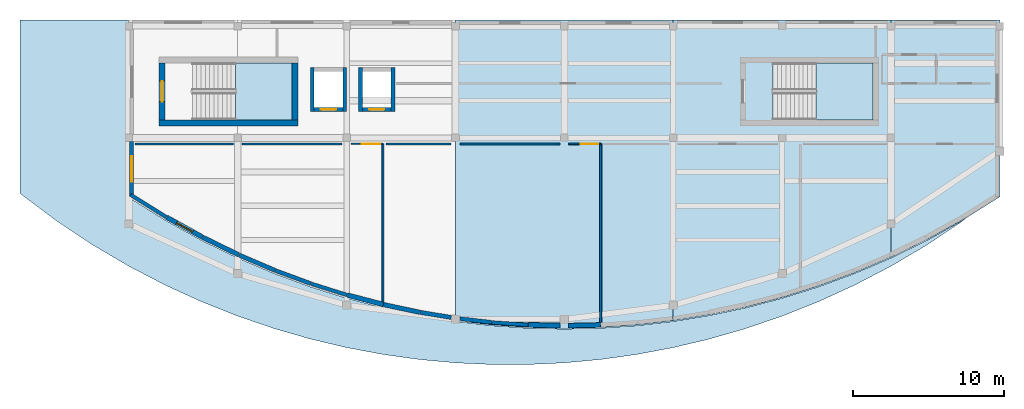
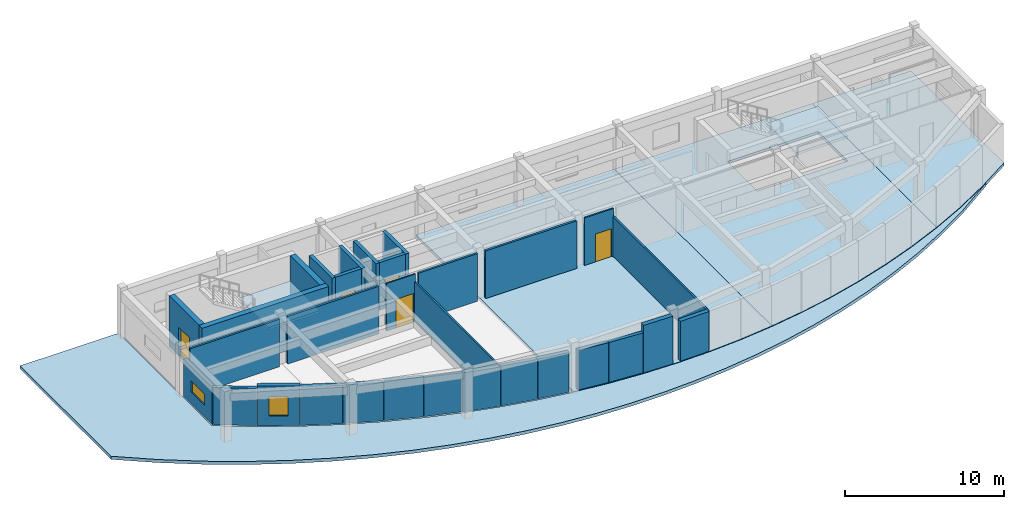
# One storey, part 2 of 6: 31 walls, 6 slabs, 5 doors, 2 windows, 7 openings, 2 elements without a shape of their own.
"""IFC4 building model written with IfcOpenShell, lengths in metres."""

from ifc_helpers import new_model, si_unit, direction, frame, frame_2d, origin, place, context, subcontext, project, spatial, polyline, rectangle, outline, extrude, material, layer, layer_set, type_object, element, fill, aggregate, save


model = new_model("IFC4")

# Units and contexts
model_context = context("Model", 3, precision=1e-05, world=origin(), true_north=direction((0.0, 1.0)))
body_context = subcontext(model_context, "Body", "Model", "MODEL_VIEW")
ifc_project = project(units=[si_unit("LENGTHUNIT", "METRE"), si_unit("AREAUNIT", "SQUARE_METRE"), si_unit("VOLUMEUNIT", "CUBIC_METRE"), si_unit("PLANEANGLEUNIT", "RADIAN"), si_unit("MASSUNIT", "GRAM", prefix="KILO")], contexts=[model_context])

# Site, building, storey
site_placement = place(None, origin())
site = spatial("IfcSite", under=ifc_project, at=site_placement, CompositionType="ELEMENT")
building_placement = place(site_placement, origin())
building = spatial("IfcBuilding", under=site, at=building_placement, Name="Brisavento Harbour Community Centre", CompositionType="ELEMENT")
storey_placement = place(building_placement, frame((0.0, 0.0, 20.699951171875)))
storey = spatial("IfcBuildingStorey", under=building, at=storey_placement, Name="L05", CompositionType="ELEMENT", Elevation=20.699951171875)

# Slabs
ifc_material_1 = material(Name="Concrete C35/45", Category="concrete")
ifc_layer_1 = layer(ifc_material_1, 0.219970703125, Name="Concrete C35/45")
ifc_layer_set_1 = layer_set([ifc_layer_1], Name="Concrete C35/45")
slab_type_1 = type_object("IfcSlabType", Name="SLB-FLR-220", PredefinedType="FLOOR", material=ifc_layer_set_1)
slab_1_placement = place(storey_placement, frame((0.0, 0.0, -0.219970703125)))
element("IfcSlab", 1, at=slab_1_placement, inside=storey, type_object=slab_type_1, Name="L05 V3 structural floor slab 058", PredefinedType="FLOOR", context=body_context, shape_type="SweptSolid", body=[
    extrude(outline(polyline([(136.800048828125, 22.800048828125), (136.800048828125, 2.90087890625), (139.199951171875, 2.6220703125), (141.60009765625, 2.455322265625), (144.0, 2.39990234375), (146.39990234375, 2.455322265625), (148.800048828125, 2.6220703125), (151.199951171875, 2.90087890625), (151.199951171875, 22.800048828125), (136.800048828125, 22.800048828125)])), origin(), (0.0, 0.0, 1.0), 0.219970703125),
])
slab_2_placement = place(storey_placement, frame((0.0, 0.0, -0.219970703125)))
element("IfcSlab", 2, at=slab_2_placement, inside=storey, type_object=slab_type_1, Name="L05 V3 structural floor slab 059", PredefinedType="FLOOR", context=body_context, shape_type="SweptSolid", body=[
    extrude(outline(polyline([(151.199951171875, 22.800048828125), (151.199951171875, 2.90087890625), (153.60009765625, 3.293701171875), (156.0, 3.8037109375), (158.39990234375, 4.43359375), (160.800048828125, 5.188720703125), (163.199951171875, 6.074462890625), (165.60009765625, 7.098388671875), (165.60009765625, 22.800048828125), (151.199951171875, 22.800048828125)]), holes=[polyline([(157.80810546875, 19.94189453125), (164.39208984375, 19.94189453125), (164.39208984375, 16.2080078125), (157.80810546875, 16.2080078125), (157.80810546875, 19.94189453125)])]), origin(), (0.0, 0.0, 1.0), 0.219970703125),
])
slab_3_placement = place(storey_placement, frame((0.0, 0.0, -0.219970703125)))
element("IfcSlab", 3, at=slab_3_placement, inside=storey, type_object=slab_type_1, Name="L05 V3 structural floor slab 060", PredefinedType="FLOOR", context=body_context, shape_type="SweptSolid", body=[
    extrude(outline(polyline([(165.60009765625, 22.800048828125), (165.60009765625, 7.098388671875), (168.0, 8.269775390625), (170.39990234375, 9.60009765625), (172.800048828125, 11.103759765625), (172.800048828125, 22.800048828125), (165.60009765625, 22.800048828125)])), origin(), (0.0, 0.0, 1.0), 0.219970703125),
])

# Stair, slab
stair_type = type_object("IfcStairType", Name="STR-DL-3900", PredefinedType="HALF_TURN_STAIR", material=ifc_material_1)
stair_1_placement = place(storey_placement, origin())
stair_1 = element("IfcStair", 4, at=stair_1_placement, inside=storey, type_object=stair_type, Name="L05 ST-04", PredefinedType="HALF_TURN_STAIR")
ifc_layer_2 = layer(ifc_material_1, 0.199951171875, Name="Concrete C35/45")
ifc_layer_set_2 = layer_set([ifc_layer_2], Name="Concrete C35/45")
slab_type_2 = type_object("IfcSlabType", Name="SLB-LND-200", PredefinedType="LANDING", material=ifc_layer_set_2)
slab_4_placement = place(storey_placement, frame((0.0, 0.0, 1.75)))
slab_4 = element("IfcSlab", 5, at=slab_4_placement, type_object=slab_type_2, Name="ST-04 landing 1", PredefinedType="LANDING", context=body_context, shape_type="SweptSolid", body=[
    extrude(outline(polyline([(122.25, 16.199951171875), (126.0, 16.199951171875), (126.0, 19.949951171875), (122.25, 19.949951171875), (122.25, 16.199951171875)])), origin(), (0.0, 0.0, 1.0), 0.199951171875),
])
aggregate(stair_1, [slab_4])

stair_2_placement = place(storey_placement, origin())
stair_2 = element("IfcStair", 6, at=stair_2_placement, inside=storey, type_object=stair_type, Name="L05 ST-05", PredefinedType="HALF_TURN_STAIR")
slab_5_placement = place(storey_placement, frame((0.0, 0.0, 1.75)))
slab_5 = element("IfcSlab", 7, at=slab_5_placement, type_object=slab_type_2, Name="ST-05 landing 1", PredefinedType="LANDING", context=body_context, shape_type="SweptSolid", body=[
    extrude(outline(polyline([(160.64990234375, 16.199951171875), (164.39990234375, 16.199951171875), (164.39990234375, 19.949951171875), (160.64990234375, 19.949951171875), (160.64990234375, 16.199951171875)])), origin(), (0.0, 0.0, 1.0), 0.199951171875),
])
aggregate(stair_2, [slab_5])

# Slab
ifc_layer_3 = layer(ifc_material_1, 0.239990234375, Name="Concrete C35/45")
ifc_layer_set_3 = layer_set([ifc_layer_3], Name="Concrete C35/45")
slab_type_3 = type_object("IfcSlabType", Name="SLB-RF-240", PredefinedType="ROOF", material=ifc_layer_set_3)
slab_6_placement = place(storey_placement, frame((0.0, 0.0, -0.239990234375)))
element("IfcSlab", 8, at=slab_6_placement, inside=storey, type_object=slab_type_3, Name="L05 V3 setback flat roof slab 1", PredefinedType="ROOF", context=body_context, shape_type="SweptSolid", body=[
    extrude(outline(polyline([(168.014404296875, 8.243408203125), (165.61328125, 7.0712890625), (163.2119140625, 6.046875), (160.810302734375, 5.160400390625), (158.408935546875, 4.405029296875), (156.007568359375, 3.7744140625), (153.606201171875, 3.264404296875), (151.204833984375, 2.871337890625), (148.803466796875, 2.59228515625), (146.402099609375, 2.425537109375), (143.999267578125, 2.3701171875), (141.597900390625, 2.425537109375), (139.196533203125, 2.59228515625), (136.795166015625, 2.871337890625), (134.393798828125, 3.264404296875), (131.993896484375, 3.774169921875), (129.591064453125, 4.405029296875), (127.189697265625, 5.160400390625), (124.7880859375, 6.046875), (122.38818359375, 7.07080078125), (119.985595703125, 8.243408203125), (117.58544921875, 9.57373046875), (115.181640625, 11.080078125), (115.169921875, 22.800048828125), (108.0, 22.800048828125), (108.0, 11.32763671875), (110.39990234375, 9.526611328125), (112.800048828125, 7.92919921875), (115.199951171875, 6.51416015625), (117.60009765625, 5.264892578125), (120.0, 4.168701171875), (122.39990234375, 3.21484375), (124.800048828125, 2.395263671875), (127.199951171875, 1.703369140625), (129.60009765625, 1.1337890625), (132.0, 0.682861328125), (134.39990234375, 0.347412109375), (136.800048828125, 0.124755859375), (139.199951171875, 0.013916015625), (141.60009765625, 0.013916015625), (144.0, 0.124755859375), (146.39990234375, 0.347412109375), (148.800048828125, 0.682861328125), (151.199951171875, 1.1337890625), (153.60009765625, 1.703369140625), (156.0, 2.395263671875), (158.39990234375, 3.21484375), (160.800048828125, 4.168701171875), (163.199951171875, 5.264892578125), (165.60009765625, 6.51416015625), (168.0, 7.92919921875), (170.707275390625, 9.757080078125), (168.014404296875, 8.243408203125)])), origin(), (0.0, 0.0, 1.0), 0.239990234375),
])

# Walls
ifc_material_2 = material(Name="Concrete C40/50", Category="concrete")
ifc_layer_4 = layer(ifc_material_2, 0.39990234375, Name="Concrete C40/50")
ifc_layer_set_4 = layer_set([ifc_layer_4], Name="Concrete C40/50")
wall_type_1 = type_object("IfcWallType", Name="WL-CORE-400", PredefinedType="SHEAR", material=ifc_layer_set_4)
wall_1_placement = place(storey_placement, frame((117.199951171875, 16.0, 0.0), z_axis=(0.0, 0.0, 1.0), x_axis=(1.0, 0.0, 0.0)))
element("IfcWall", 9, at=wall_1_placement, inside=storey, type_object=wall_type_1, Name="L05 core C3A shear wall L", PredefinedType="SHEAR", context=body_context, shape_type="SweptSolid", body=[
    extrude(rectangle(XDim=9.199951171875, YDim=0.39990234375, at=frame_2d((4.60009765625, 0.0))), origin(), (0.0, 0.0, 1.0), 3.900146484375),
])
wall_2_placement = place(storey_placement, frame((126.199951171875, 16.199951171875, 0.0), z_axis=(0.0, 0.0, 1.0), x_axis=(0.0, 1.0, 0.0)))
element("IfcWall", 10, at=wall_2_placement, inside=storey, type_object=wall_type_1, Name="L05 core C3A shear wall F", PredefinedType="SHEAR", context=body_context, shape_type="SweptSolid", body=[
    extrude(rectangle(XDim=3.75, YDim=0.39990234375, at=frame_2d((1.875, 0.0))), origin(), (0.0, 0.0, 1.0), 3.900146484375),
])

# Wall, opening, door
wall_3_placement = place(storey_placement, frame((117.39990234375, 19.949951171875, 0.0), z_axis=(0.0, 0.0, 1.0), x_axis=(0.0, -1.0, 0.0)))
wall_3 = element("IfcWall", 11, at=wall_3_placement, inside=storey, type_object=wall_type_1, Name="L05 core C3A shear wall N", PredefinedType="SHEAR", context=body_context, shape_type="SweptSolid", body=[
    extrude(rectangle(XDim=3.75, YDim=0.39990234375, at=frame_2d((1.875, 0.0))), origin(), (0.0, 0.0, 1.0), 3.900146484375),
])
opening_1_placement = place(wall_3_placement, frame((1.199951171875, 0.0, 0.0)))
opening_1 = element("IfcOpeningElement", 12, at=opening_1_placement, cuts=wall_3, Name="Opening SD-02", PredefinedType="OPENING", context=body_context, shape_type="SweptSolid", body=[
    extrude(rectangle(XDim=1.35009765625, YDim=2.199951171875, at=frame_2d((0.675048828125, 1.10009765625))), frame((0.0, 0.2099609375, 0.0), z_axis=(0.0, -1.0, 0.0), x_axis=(1.0, 0.0, 0.0)), (0.0, 0.0, 1.0), 0.419921875),
])
ifc_material_3 = material(Name="Fire-rated steel door assembly", Category="steel")
door_type_1 = type_object("IfcDoorType", Name="DR-STAIR-135x220", OperationType="NOTDEFINED", PredefinedType="DOOR", material=ifc_material_3)
door_1_placement = place(opening_1_placement, origin())
door_1 = element("IfcDoor", 13, at=door_1_placement, inside=storey, type_object=door_type_1, Name="L05 exit stair ST-04 fire door", OperationType="SINGLE_SWING_LEFT", OverallHeight=2.199951171875, OverallWidth=1.35009765625, PredefinedType="DOOR", context=body_context, shape_type="SweptSolid", body=[
    extrude(rectangle(XDim=1.35009765625, YDim=2.199951171875, at=frame_2d((0.675048828125, 1.10009765625))), frame((0.0, 0.02490234375, 0.0), z_axis=(0.0, -1.0, 0.0), x_axis=(1.0, 0.0, 0.0)), (0.0, 0.0, 1.0), 0.050048828125),
])
fill(opening_1, door_1)

# Walls
ifc_material_4 = material(Name="Terracotta masonry unit", Category="masonry")
ifc_layer_5 = layer(ifc_material_4, 0.239990234375, Name="Terracotta masonry unit")
ifc_layer_set_5 = layer_set([ifc_layer_5], Name="Terracotta masonry unit")
wall_type_2 = type_object("IfcWallType", Name="WL-EXT-240", PredefinedType="SOLIDWALL", material=ifc_layer_set_5)
wall_4_placement = place(storey_placement, frame((117.680419921875, 9.76220703125, 0.0), z_axis=(0.0, 0.0, 1.0), x_axis=(-0.847458290903, 0.530861983174, 0.0)))
element("IfcWall", 14, at=wall_4_placement, inside=storey, type_object=wall_type_2, Name="L05 V3 exterior wall 0343", PredefinedType="SOLIDWALL", context=body_context, shape_type="SweptSolid", body=[
    extrude(rectangle(XDim=2.796142578125, YDim=0.239990234375, at=frame_2d((1.39794921875, 0.0))), origin(), (0.0, 0.0, 1.0), 2.860107421875),
])
wall_5_placement = place(storey_placement, frame((129.63671875, 4.610595703125, 0.0), z_axis=(0.0, 0.0, 1.0), x_axis=(-0.953884231724, 0.30017473656, 0.0)))
element("IfcWall", 15, at=wall_5_placement, inside=storey, type_object=wall_type_2, Name="L05 V3 exterior wall 0348", PredefinedType="SOLIDWALL", context=body_context, shape_type="SweptSolid", body=[
    extrude(rectangle(XDim=2.479736328125, YDim=0.239990234375, at=frame_2d((1.23974609375, 0.0))), origin(), (0.0, 0.0, 1.0), 3.010009765625),
])
wall_6_placement = place(storey_placement, frame((141.594482421875, 2.63623046875, 0.0), z_axis=(0.0, 0.0, 1.0), x_axis=(-0.997600485651, 0.069233453099, 0.0)))
element("IfcWall", 16, at=wall_6_placement, inside=storey, type_object=wall_type_2, Name="L05 V3 exterior wall 0353", PredefinedType="SOLIDWALL", context=body_context, shape_type="SweptSolid", body=[
    extrude(rectangle(XDim=2.36962890625, YDim=0.239990234375, at=frame_2d((1.184814453125, 0.0))), origin(), (0.0, 0.0, 1.0), 3.06005859375),
])
ifc_layer_6 = layer(ifc_material_4, 0.260009765625, Name="Terracotta masonry unit")
ifc_layer_set_6 = layer_set([ifc_layer_6], Name="Terracotta masonry unit")
wall_type_3 = type_object("IfcWallType", Name="WL-EXT-260", PredefinedType="SOLIDWALL", material=ifc_layer_set_6)
wall_7_placement = place(storey_placement, frame((127.245361328125, 5.36376953125, 0.0), z_axis=(0.0, 0.0, 1.0), x_axis=(-0.938146303957, 0.346239097117, 0.0)))
element("IfcWall", 17, at=wall_7_placement, inside=storey, type_object=wall_type_3, Name="L05 V3 exterior wall 0347", PredefinedType="SOLIDWALL", context=body_context, shape_type="SweptSolid", body=[
    extrude(rectangle(XDim=2.522216796875, YDim=0.260009765625, at=frame_2d((1.26123046875, 0.0))), origin(), (0.0, 0.0, 1.0), 3.06005859375),
])
wall_8_placement = place(storey_placement, frame((139.202880859375, 2.802978515625, 0.0), z_axis=(0.0, 0.0, 1.0), x_axis=(-0.993317824854, 0.115410999595, 0.0)))
element("IfcWall", 18, at=wall_8_placement, inside=storey, type_object=wall_type_3, Name="L05 V3 exterior wall 0352", PredefinedType="SOLIDWALL", context=body_context, shape_type="SweptSolid", body=[
    extrude(rectangle(XDim=2.11962890625, YDim=0.260009765625, at=frame_2d((1.059814453125, 0.0))), origin(), (0.0, 0.0, 1.0), 3.06005859375),
])

# Wall, opening, window
wall_9_placement = place(storey_placement, frame((115.3798828125, 11.121826171875, 0.0), z_axis=(0.0, 0.0, 1.0), x_axis=(0.0, 1.0, 0.0)))
wall_9 = element("IfcWall", 19, at=wall_9_placement, inside=storey, type_object=wall_type_3, Name="L05 V3 exterior wall 0377", PredefinedType="SOLIDWALL", context=body_context, shape_type="SweptSolid", body=[
    extrude(rectangle(XDim=3.64306640625, YDim=0.260009765625, at=frame_2d((1.821533203125, 0.0))), origin(), (0.0, 0.0, 1.0), 2.860107421875),
])
opening_2_placement = place(wall_9_placement, frame((0.9716796875, 0.0, 0.89990234375)))
opening_2 = element("IfcOpeningElement", 20, at=opening_2_placement, cuts=wall_9, Name="Opening W-35", PredefinedType="OPENING", context=body_context, shape_type="SweptSolid", body=[
    extrude(rectangle(XDim=1.699951171875, YDim=0.85009765625, at=frame_2d((0.85009765625, 0.425048828125))), frame((0.0, 0.14013671875, 0.0), z_axis=(0.0, -1.0, 0.0), x_axis=(1.0, 0.0, 0.0)), (0.0, 0.0, 1.0), 0.280029296875),
])
ifc_material_5 = material(Name="Solar-control laminated low-E glass", Category="glass")
window_type_1 = type_object("IfcWindowType", Name="WIN-CAS-35", PartitioningType="SINGLE_PANEL", PredefinedType="WINDOW", material=ifc_material_5)
window_1_placement = place(opening_2_placement, origin())
window_1 = element("IfcWindow", 21, at=window_1_placement, inside=storey, type_object=window_type_1, Name="L05 V3 impact casement window 0215", OverallHeight=0.85009765625, OverallWidth=1.699951171875, PartitioningType="SINGLE_PANEL", PredefinedType="WINDOW", context=body_context, shape_type="SweptSolid", body=[
    extrude(rectangle(XDim=1.699951171875, YDim=0.85009765625, at=frame_2d((0.85009765625, 0.425048828125))), frame((0.0, 0.030029296875, 0.0), z_axis=(0.0, -1.0, 0.0), x_axis=(1.0, 0.0, 0.0)), (0.0, 0.0, 1.0), 0.06005859375),
])
fill(opening_2, window_1)

# Walls
ifc_material_6 = material(Name="Precast concrete C40/50", Category="concrete")
ifc_layer_7 = layer(ifc_material_6, 0.280029296875, Name="Precast concrete C40/50")
ifc_layer_set_7 = layer_set([ifc_layer_7], Name="Precast concrete C40/50")
wall_type_4 = type_object("IfcWallType", Name="WL-EXT-280", PredefinedType="SOLIDWALL", material=ifc_layer_set_7)
wall_10_placement = place(storey_placement, frame((124.85400390625, 6.2470703125, 0.0), z_axis=(0.0, 0.0, 1.0), x_axis=(-0.919781821174, 0.392430123001, 0.0)))
element("IfcWall", 22, at=wall_10_placement, inside=storey, type_object=wall_type_4, Name="L05 V3 exterior wall 0346", PredefinedType="SOLIDWALL", context=body_context, shape_type="SweptSolid", body=[
    extrude(rectangle(XDim=2.572998046875, YDim=0.280029296875, at=frame_2d((1.28662109375, 0.0))), origin(), (0.0, 0.0, 1.0), 2.9599609375),
])
wall_11_placement = place(storey_placement, frame((136.516357421875, 3.129638671875, 0.0), z_axis=(0.0, 0.0, 1.0), x_axis=(-0.986855683542, 0.161604021798, 0.0)))
element("IfcWall", 23, at=wall_11_placement, inside=storey, type_object=wall_type_4, Name="L05 V3 exterior wall 0351", PredefinedType="SOLIDWALL", context=body_context, shape_type="SweptSolid", body=[
    extrude(rectangle(XDim=2.096923828125, YDim=0.280029296875, at=frame_2d((1.04833984375, 0.0))), origin(), (0.0, 0.0, 1.0), 3.06005859375),
])
ifc_layer_8 = layer(ifc_material_1, 0.300048828125, Name="Concrete C35/45")
ifc_layer_set_8 = layer_set([ifc_layer_8], Name="Concrete C35/45")
wall_type_5 = type_object("IfcWallType", Name="WL-EXT-300", PredefinedType="SOLIDWALL", material=ifc_layer_set_8)
wall_12_placement = place(storey_placement, frame((122.462646484375, 7.26806640625, 0.0), z_axis=(0.0, 0.0, 1.0), x_axis=(-0.898667775588, 0.438629945535, 0.0)))
element("IfcWall", 24, at=wall_12_placement, inside=storey, type_object=wall_type_5, Name="L05 V3 exterior wall 0345", PredefinedType="SOLIDWALL", context=body_context, shape_type="SweptSolid", body=[
    extrude(rectangle(XDim=2.63427734375, YDim=0.300048828125, at=frame_2d((1.317138671875, 0.0))), origin(), (0.0, 0.0, 1.0), 2.9599609375),
])
wall_13_placement = place(storey_placement, frame((134.419921875, 3.4736328125, 0.0), z_axis=(0.0, 0.0, 1.0), x_axis=(-0.978189380311, 0.207715036162, 0.0)))
element("IfcWall", 25, at=wall_13_placement, inside=storey, type_object=wall_type_5, Name="L05 V3 exterior wall 0350", PredefinedType="SOLIDWALL", context=body_context, shape_type="SweptSolid", body=[
    extrude(rectangle(XDim=2.417724609375, YDim=0.300048828125, at=frame_2d((1.208984375, 0.0))), origin(), (0.0, 0.0, 1.0), 3.06005859375),
])
wall_14_placement = place(storey_placement, frame((146.377685546875, 2.635009765625, 0.0), z_axis=(0.0, 0.0, 1.0), x_axis=(-0.99973294744, -0.023109171395, 0.0)))
element("IfcWall", 26, at=wall_14_placement, inside=storey, type_object=wall_type_5, Name="L05 V3 exterior wall 0355", PredefinedType="SOLIDWALL", context=body_context, shape_type="SweptSolid", body=[
    extrude(rectangle(XDim=2.102294921875, YDim=0.300048828125, at=frame_2d((1.05126953125, 0.0))), origin(), (0.0, 0.0, 1.0), 3.06005859375),
])

# Wall, opening, window
ifc_layer_9 = layer(ifc_material_1, 0.320068359375, Name="Concrete C35/45")
ifc_layer_set_9 = layer_set([ifc_layer_9], Name="Concrete C35/45")
wall_type_6 = type_object("IfcWallType", Name="WL-EXT-320", PredefinedType="SOLIDWALL", material=ifc_layer_set_9)
wall_15_placement = place(storey_placement, frame((120.071533203125, 8.435791015625, 0.0), z_axis=(0.0, 0.0, 1.0), x_axis=(-0.874616129919, 0.484816073666, 0.0)))
wall_15 = element("IfcWall", 27, at=wall_15_placement, inside=storey, type_object=wall_type_6, Name="L05 V3 exterior wall 0344", PredefinedType="SOLIDWALL", context=body_context, shape_type="SweptSolid", body=[
    extrude(rectangle(XDim=2.708251953125, YDim=0.320068359375, at=frame_2d((1.35400390625, 0.0))), origin(), (0.0, 0.0, 1.0), 3.06005859375),
])
opening_3_placement = place(wall_15_placement, frame((0.75390625, 0.0, 0.75)))
opening_3 = element("IfcOpeningElement", 28, at=opening_3_placement, cuts=wall_15, Name="Opening W-14", PredefinedType="OPENING", context=body_context, shape_type="SweptSolid", body=[
    extrude(rectangle(XDim=1.199951171875, YDim=1.5, at=frame_2d((0.60009765625, 0.75))), frame((0.0, 0.169921875, 0.0), z_axis=(0.0, -1.0, 0.0), x_axis=(1.0, 0.0, 0.0)), (0.0, 0.0, 1.0), 0.340087890625),
])
window_type_2 = type_object("IfcWindowType", Name="WIN-CAS-14", PartitioningType="SINGLE_PANEL", PredefinedType="WINDOW", material=ifc_material_5)
window_2_placement = place(opening_3_placement, origin())
window_2 = element("IfcWindow", 29, at=window_2_placement, inside=storey, type_object=window_type_2, Name="L05 V3 impact casement window 0194", OverallHeight=1.5, OverallWidth=1.199951171875, PartitioningType="SINGLE_PANEL", PredefinedType="WINDOW", context=body_context, shape_type="SweptSolid", body=[
    extrude(rectangle(XDim=1.199951171875, YDim=1.5, at=frame_2d((0.60009765625, 0.75))), frame((0.0, 0.030029296875, 0.0), z_axis=(0.0, -1.0, 0.0), x_axis=(1.0, 0.0, 0.0)), (0.0, 0.0, 1.0), 0.06005859375),
])
fill(opening_3, window_2)

# Walls
wall_16_placement = place(storey_placement, frame((132.0283203125, 3.982421875, 0.0), z_axis=(0.0, 0.0, 1.0), x_axis=(-0.967257930518, 0.253795381852, 0.0)))
element("IfcWall", 30, at=wall_16_placement, inside=storey, type_object=wall_type_6, Name="L05 V3 exterior wall 0349", PredefinedType="SOLIDWALL", context=body_context, shape_type="SweptSolid", body=[
    extrude(rectangle(XDim=2.4453125, YDim=0.320068359375, at=frame_2d((1.22265625, 0.0))), origin(), (0.0, 0.0, 1.0), 3.010009765625),
])
wall_17_placement = place(storey_placement, frame((143.72412109375, 2.58642578125, 0.0), z_axis=(0.0, 0.0, 1.0), x_axis=(-0.99973294744, 0.023109171395, 0.0)))
element("IfcWall", 31, at=wall_17_placement, inside=storey, type_object=wall_type_6, Name="L05 V3 exterior wall 0354", PredefinedType="SOLIDWALL", context=body_context, shape_type="SweptSolid", body=[
    extrude(rectangle(XDim=2.102294921875, YDim=0.320068359375, at=frame_2d((1.05126953125, 0.0))), origin(), (0.0, 0.0, 1.0), 3.66015625),
])

# Wall, opening, door
ifc_material_7 = material(Name="Lightweight stud partition", Category="other")
ifc_layer_10 = layer(ifc_material_7, 0.10009765625, Name="Lightweight stud partition")
ifc_layer_set_10 = layer_set([ifc_layer_10], Name="Lightweight stud partition")
wall_type_7 = type_object("IfcWallType", Name="WL-PRT-100", PredefinedType="PARTITIONING", material=ifc_layer_set_10)
wall_18_placement = place(storey_placement, frame((132.0, 14.60009765625, 0.0), z_axis=(0.0, 0.0, 1.0), x_axis=(-1.0, 0.0, 0.0)))
wall_18 = element("IfcWall", 32, at=wall_18_placement, inside=storey, type_object=wall_type_7, Name="L05 Rare-Book Archive Study partition 0303", PredefinedType="PARTITIONING", context=body_context, shape_type="SweptSolid", body=[
    extrude(rectangle(XDim=2.110107421875, YDim=0.10009765625, at=frame_2d((1.05517578125, 0.0))), origin(), (0.0, 0.0, 1.0), 3.66015625),
])
opening_4_placement = place(wall_18_placement, frame((0.159912109375, 0.0, 0.0)))
opening_4 = element("IfcOpeningElement", 33, at=opening_4_placement, cuts=wall_18, Name="Opening ID-06", PredefinedType="OPENING", context=body_context, shape_type="SweptSolid", body=[
    extrude(rectangle(XDim=1.25, YDim=2.199951171875, at=frame_2d((0.625, 1.10009765625))), frame((0.0, 0.06005859375, 0.0), z_axis=(0.0, -1.0, 0.0), x_axis=(1.0, 0.0, 0.0)), (0.0, 0.0, 1.0), 0.1201171875),
])
ifc_material_8 = material(Name="Solid-core tropical timber door", Category="wood")
door_type_2 = type_object("IfcDoorType", Name="DR-INT-125x220", OperationType="NOTDEFINED", PredefinedType="DOOR", material=ifc_material_8)
door_2_placement = place(opening_4_placement, origin())
door_2 = element("IfcDoor", 34, at=door_2_placement, inside=storey, type_object=door_type_2, Name="L05 Rare-Book Archive Study door 0116", OperationType="SINGLE_SWING_LEFT", OverallHeight=2.199951171875, OverallWidth=1.25, PredefinedType="DOOR", context=body_context, shape_type="SweptSolid", body=[
    extrude(rectangle(XDim=1.25, YDim=2.199951171875, at=frame_2d((0.625, 1.10009765625))), frame((0.0, 0.02490234375, 0.0), z_axis=(0.0, -1.0, 0.0), x_axis=(1.0, 0.0, 0.0)), (0.0, 0.0, 1.0), 0.050048828125),
])
fill(opening_4, door_2)

wall_19_placement = place(storey_placement, frame((146.39990234375, 14.60009765625, 0.0), z_axis=(0.0, 0.0, 1.0), x_axis=(-1.0, 0.0, 0.0)))
wall_19 = element("IfcWall", 35, at=wall_19_placement, inside=storey, type_object=wall_type_7, Name="L05 Youth Innovation Lab partition 0307", PredefinedType="PARTITIONING", context=body_context, shape_type="SweptSolid", body=[
    extrude(rectangle(XDim=2.10986328125, YDim=0.10009765625, at=frame_2d((1.054931640625, 0.0))), origin(), (0.0, 0.0, 1.0), 3.66015625),
])
opening_5_placement = place(wall_19_placement, frame((0.159912109375, 0.0, 0.0)))
opening_5 = element("IfcOpeningElement", 36, at=opening_5_placement, cuts=wall_19, Name="Opening ID-07", PredefinedType="OPENING", context=body_context, shape_type="SweptSolid", body=[
    extrude(rectangle(XDim=1.14990234375, YDim=2.14990234375, at=frame_2d((0.574951171875, 1.074951171875))), frame((0.0, 0.06005859375, 0.0), z_axis=(0.0, -1.0, 0.0), x_axis=(1.0, 0.0, 0.0)), (0.0, 0.0, 1.0), 0.1201171875),
])
door_type_3 = type_object("IfcDoorType", Name="DR-INT-115x215", OperationType="NOTDEFINED", PredefinedType="DOOR", material=ifc_material_8)
door_3_placement = place(opening_5_placement, origin())
door_3 = element("IfcDoor", 37, at=door_3_placement, inside=storey, type_object=door_type_3, Name="L05 Youth Innovation Lab door 0117", OperationType="SINGLE_SWING_LEFT", OverallHeight=2.14990234375, OverallWidth=1.14990234375, PredefinedType="DOOR", context=body_context, shape_type="SweptSolid", body=[
    extrude(rectangle(XDim=1.14990234375, YDim=2.14990234375, at=frame_2d((0.574951171875, 1.074951171875))), frame((0.0, 0.02490234375, 0.0), z_axis=(0.0, -1.0, 0.0), x_axis=(1.0, 0.0, 0.0)), (0.0, 0.0, 1.0), 0.050048828125),
])
fill(opening_5, door_3)

# Walls
ifc_material_9 = material(Name="Gypsum metal-stud partition", Category="other")
ifc_layer_11 = layer(ifc_material_9, 0.1201171875, Name="Gypsum metal-stud partition")
ifc_layer_set_11 = layer_set([ifc_layer_11], Name="Gypsum metal-stud partition")
wall_type_8 = type_object("IfcWallType", Name="WL-PRT-120", PredefinedType="PARTITIONING", material=ifc_layer_set_11)
wall_20_placement = place(storey_placement, frame((132.0, 3.9482421875, 0.0), z_axis=(0.0, 0.0, 1.0), x_axis=(0.0, 1.0, 0.0)))
element("IfcWall", 38, at=wall_20_placement, inside=storey, type_object=wall_type_8, Name="L05 Rare-Book Archive Study partition 0306", PredefinedType="PARTITIONING", context=body_context, shape_type="SweptSolid", body=[
    extrude(rectangle(XDim=10.65185546875, YDim=0.1201171875, at=frame_2d((5.325927734375, 0.0))), origin(), (0.0, 0.0, 1.0), 3.06005859375),
])
wall_21_placement = place(storey_placement, frame((146.39990234375, 2.60009765625, 0.0), z_axis=(0.0, 0.0, 1.0), x_axis=(0.0, 1.0, 0.0)))
element("IfcWall", 39, at=wall_21_placement, inside=storey, type_object=wall_type_8, Name="L05 Youth Innovation Lab partition 0310", PredefinedType="PARTITIONING", context=body_context, shape_type="SweptSolid", body=[
    extrude(rectangle(XDim=12.0, YDim=0.1201171875, at=frame_2d((6.0, 0.0))), origin(), (0.0, 0.0, 1.0), 3.06005859375),
])
ifc_layer_12 = layer(ifc_material_9, 0.139892578125, Name="Gypsum metal-stud partition")
ifc_layer_set_12 = layer_set([ifc_layer_12], Name="Gypsum metal-stud partition")
wall_type_9 = type_object("IfcWallType", Name="WL-PRT-140", PredefinedType="PARTITIONING", material=ifc_layer_set_12)
wall_22_placement = place(storey_placement, frame((122.110107421875, 14.60009765625, 0.0), z_axis=(0.0, 0.0, 1.0), x_axis=(-1.0, 0.0, 0.0)))
element("IfcWall", 40, at=wall_22_placement, inside=storey, type_object=wall_type_9, Name="L05 Rare-Book Archive Study partition 0305", PredefinedType="PARTITIONING", context=body_context, shape_type="SweptSolid", body=[
    extrude(rectangle(XDim=6.510009765625, YDim=0.139892578125, at=frame_2d((3.2548828125, 0.0))), origin(), (0.0, 0.0, 1.0), 3.66015625),
])
wall_23_placement = place(storey_placement, frame((136.510009765625, 14.60009765625, 0.0), z_axis=(0.0, 0.0, 1.0), x_axis=(-1.0, 0.0, 0.0)))
element("IfcWall", 41, at=wall_23_placement, inside=storey, type_object=wall_type_9, Name="L05 Youth Innovation Lab partition 0309", PredefinedType="PARTITIONING", context=body_context, shape_type="SweptSolid", body=[
    extrude(rectangle(XDim=4.31005859375, YDim=0.139892578125, at=frame_2d((2.155029296875, 0.0))), origin(), (0.0, 0.0, 1.0), 3.66015625),
])
ifc_material_10 = material(Name="Moisture-resistant stud partition", Category="other")
ifc_layer_13 = layer(ifc_material_10, 0.14990234375, Name="Moisture-resistant stud partition")
ifc_layer_set_13 = layer_set([ifc_layer_13], Name="Moisture-resistant stud partition")
wall_type_10 = type_object("IfcWallType", Name="WL-PRT-150", PredefinedType="PARTITIONING", material=ifc_layer_set_13)
wall_24_placement = place(storey_placement, frame((129.31005859375, 14.60009765625, 0.0), z_axis=(0.0, 0.0, 1.0), x_axis=(-1.0, 0.0, 0.0)))
element("IfcWall", 42, at=wall_24_placement, inside=storey, type_object=wall_type_10, Name="L05 Rare-Book Archive Study partition 0304", PredefinedType="PARTITIONING", context=body_context, shape_type="SweptSolid", body=[
    extrude(rectangle(XDim=6.6201171875, YDim=0.14990234375, at=frame_2d((3.31005859375, 0.0))), origin(), (0.0, 0.0, 1.0), 3.66015625),
])
wall_25_placement = place(storey_placement, frame((143.7099609375, 14.60009765625, 0.0), z_axis=(0.0, 0.0, 1.0), x_axis=(-1.0, 0.0, 0.0)))
element("IfcWall", 43, at=wall_25_placement, inside=storey, type_object=wall_type_10, Name="L05 Youth Innovation Lab partition 0308", PredefinedType="PARTITIONING", context=body_context, shape_type="SweptSolid", body=[
    extrude(rectangle(XDim=6.619873046875, YDim=0.14990234375, at=frame_2d((3.31005859375, 0.0))), origin(), (0.0, 0.0, 1.0), 3.66015625),
])
ifc_layer_14 = layer(ifc_material_1, 0.25, Name="Concrete C35/45")
ifc_layer_set_14 = layer_set([ifc_layer_14], Name="Concrete C35/45")
wall_type_11 = type_object("IfcWallType", Name="WL-SHF-250", PredefinedType="SOLIDWALL", material=ifc_layer_set_14)
for number, where, z_axis, x_axis, name in (
    (44, (127.324951171875, 16.75, 0.0), (0.0, 0.0, 1.0), (0.0, 1.0, 0.0), "L05 lift LC-02 shaft wall W"),
    (45, (129.47509765625, 19.64990234375, 0.0), (0.0, 0.0, 1.0), (0.0, -1.0, 0.0), "L05 lift LC-02 shaft wall E"),
):
    element("IfcWall", number, at=place(storey_placement, frame(where, z_axis=z_axis, x_axis=x_axis)), inside=storey, type_object=wall_type_11, Name=name, PredefinedType="SOLIDWALL", context=body_context, shape_type="SweptSolid", body=[
        extrude(rectangle(XDim=2.89990234375, YDim=0.25, at=frame_2d((1.449951171875, 0.0))), origin(), (0.0, 0.0, 1.0), 3.66015625),
    ])

# Wall, opening, door
wall_26_placement = place(storey_placement, frame((127.449951171875, 16.875, 0.0), z_axis=(0.0, 0.0, 1.0), x_axis=(1.0, 0.0, 0.0)))
wall_26 = element("IfcWall", 46, at=wall_26_placement, inside=storey, type_object=wall_type_11, Name="L05 lift LC-02 shaft wall S", PredefinedType="SOLIDWALL", context=body_context, shape_type="SweptSolid", body=[
    extrude(rectangle(XDim=1.900146484375, YDim=0.25, at=frame_2d((0.9501953125, 0.0))), origin(), (0.0, 0.0, 1.0), 3.66015625),
])
opening_6_placement = place(wall_26_placement, frame((0.449951171875, 0.0, 0.0)))
opening_6 = element("IfcOpeningElement", 47, at=opening_6_placement, cuts=wall_26, Name="Opening LD-02", PredefinedType="OPENING", context=body_context, shape_type="SweptSolid", body=[
    extrude(rectangle(XDim=1.0, YDim=2.199951171875, at=frame_2d((0.5, 1.10009765625))), frame((0.0, 0.135009765625, 0.0), z_axis=(0.0, -1.0, 0.0), x_axis=(1.0, 0.0, 0.0)), (0.0, 0.0, 1.0), 0.27001953125),
])
ifc_material_11 = material(Name="Stainless steel 1.4401", Category="steel")
door_type_4 = type_object("IfcDoorType", Name="DR-LIFT-100x220", OperationType="DOUBLE_DOOR_SLIDING", PredefinedType="DOOR", material=ifc_material_11)
door_4_placement = place(opening_6_placement, origin())
door_4 = element("IfcDoor", 48, at=door_4_placement, inside=storey, type_object=door_type_4, Name="L05 lift LC-02 landing sliding door", OperationType="DOUBLE_DOOR_SLIDING", OverallHeight=2.199951171875, OverallWidth=1.0, PredefinedType="DOOR", context=body_context, shape_type="SweptSolid", body=[
    extrude(rectangle(XDim=1.0, YDim=2.199951171875, at=frame_2d((0.5, 1.10009765625))), frame((0.0, 0.02490234375, 0.0), z_axis=(0.0, -1.0, 0.0), x_axis=(1.0, 0.0, 0.0)), (0.0, 0.0, 1.0), 0.050048828125),
])
fill(opening_6, door_4)

# Walls
for number, where, z_axis, x_axis, name in (
    (49, (130.52490234375, 16.75, 0.0), (0.0, 0.0, 1.0), (0.0, 1.0, 0.0), "L05 lift LC-03 shaft wall W"),
    (50, (132.675048828125, 19.64990234375, 0.0), (0.0, 0.0, 1.0), (0.0, -1.0, 0.0), "L05 lift LC-03 shaft wall E"),
):
    element("IfcWall", number, at=place(storey_placement, frame(where, z_axis=z_axis, x_axis=x_axis)), inside=storey, type_object=wall_type_11, Name=name, PredefinedType="SOLIDWALL", context=body_context, shape_type="SweptSolid", body=[
        extrude(rectangle(XDim=2.89990234375, YDim=0.25, at=frame_2d((1.449951171875, 0.0))), origin(), (0.0, 0.0, 1.0), 3.66015625),
    ])

# Wall, opening, door
wall_27_placement = place(storey_placement, frame((130.64990234375, 16.875, 0.0), z_axis=(0.0, 0.0, 1.0), x_axis=(1.0, 0.0, 0.0)))
wall_27 = element("IfcWall", 51, at=wall_27_placement, inside=storey, type_object=wall_type_11, Name="L05 lift LC-03 shaft wall S", PredefinedType="SOLIDWALL", context=body_context, shape_type="SweptSolid", body=[
    extrude(rectangle(XDim=1.900146484375, YDim=0.25, at=frame_2d((0.9501953125, 0.0))), origin(), (0.0, 0.0, 1.0), 3.66015625),
])
opening_7_placement = place(wall_27_placement, frame((0.449951171875, 0.0, 0.0)))
opening_7 = element("IfcOpeningElement", 52, at=opening_7_placement, cuts=wall_27, Name="Opening LD-02", PredefinedType="OPENING", context=body_context, shape_type="SweptSolid", body=[
    extrude(rectangle(XDim=1.0, YDim=2.199951171875, at=frame_2d((0.5, 1.10009765625))), frame((0.0, 0.135009765625, 0.0), z_axis=(0.0, -1.0, 0.0), x_axis=(1.0, 0.0, 0.0)), (0.0, 0.0, 1.0), 0.27001953125),
])
door_5_placement = place(opening_7_placement, origin())
door_5 = element("IfcDoor", 53, at=door_5_placement, inside=storey, type_object=door_type_4, Name="L05 lift LC-03 landing sliding door", OperationType="DOUBLE_DOOR_SLIDING", OverallHeight=2.199951171875, OverallWidth=1.0, PredefinedType="DOOR", context=body_context, shape_type="SweptSolid", body=[
    extrude(rectangle(XDim=1.0, YDim=2.199951171875, at=frame_2d((0.5, 1.10009765625))), frame((0.0, 0.02490234375, 0.0), z_axis=(0.0, -1.0, 0.0), x_axis=(1.0, 0.0, 0.0)), (0.0, 0.0, 1.0), 0.050048828125),
])
fill(opening_7, door_5)

save(model, "model.ifc")
